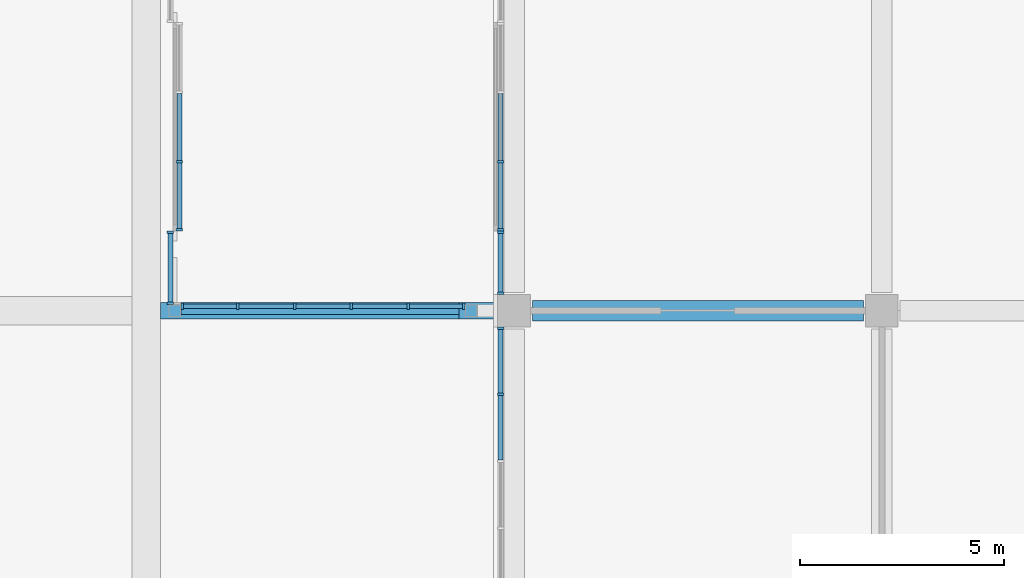
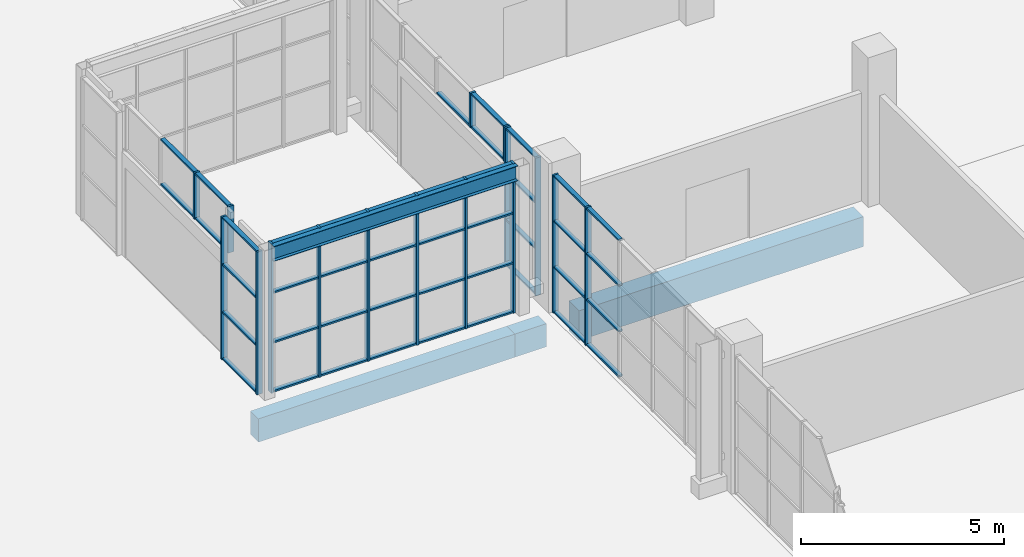
# One storey, part 38 of 168: 59 members, 4 beams, 6 elements without a shape of their own.
"""IFC4 building model written with IfcOpenShell, lengths in metres."""

from ifc_helpers import new_model, si_unit, direction, frame, origin, origin_2d, place, context, subcontext, project, spatial, rectangle, i_section, extrude, material, material_profile, profile_set, type_object, element, aggregate, save


model = new_model("IFC4")

# Units and contexts
model_context = context("Model", 3, precision=1e-05, world=origin(), true_north=direction((0.0, 1.0)))
body_context = subcontext(model_context, "Body", "Model", "MODEL_VIEW")
ifc_project = project(units=[si_unit("LENGTHUNIT", "METRE"), si_unit("AREAUNIT", "SQUARE_METRE"), si_unit("VOLUMEUNIT", "CUBIC_METRE"), si_unit("PLANEANGLEUNIT", "RADIAN"), si_unit("MASSUNIT", "GRAM", prefix="KILO")], contexts=[model_context])

# Site, building, storey
site_placement = place(None, origin())
site = spatial("IfcSite", under=ifc_project, at=site_placement, CompositionType="ELEMENT")
building_placement = place(site_placement, origin())
building = spatial("IfcBuilding", under=site, at=building_placement, Name="Silverbay Arena", CompositionType="ELEMENT")
storey_placement = place(building_placement, frame((0.0, 0.0, 7.0)))
storey = spatial("IfcBuildingStorey", under=building, at=storey_placement, Name="L01", CompositionType="ELEMENT", Elevation=7.0)

# Beam
ifc_material_1 = material(Name="Steel S355", Category="steel")
ifc_material_profile_1 = material_profile(ifc_material_1, i_section(OverallWidth=0.18994140625, OverallDepth=0.453369140625, WebThickness=0.008544921875, FlangeThickness=0.0126953125, at=origin_2d()), Name="UB 457x191x67")
ifc_profile_set_1 = profile_set([ifc_material_profile_1], Name="Steel S355")
beam_type_1 = type_object("IfcBeamType", Name="Hall beam UB 457x191x67", PredefinedType="BEAM", material=ifc_profile_set_1)
beam_1_placement = place(storey_placement, frame((25.800048828125, 99.0, 4.273193359375), z_axis=(-1.0, 0.0, 0.0), x_axis=(0.0, -1.0, 0.0)))
element("IfcBeam", 1, at=beam_1_placement, inside=storey, type_object=beam_type_1, Name="West entrance hall W1 transverse beam 1L11", PredefinedType="BEAM", context=body_context, shape_type="SweptSolid", body=[
    extrude(i_section(OverallWidth=0.18994140625, OverallDepth=0.453369140625, WebThickness=0.008544921875, FlangeThickness=0.0126953125, at=origin_2d()), origin(), (0.0, 0.0, 1.0), 6.949951171875),
])

# Curtain wall, members
ifc_material_2 = material(Name="Aluminium framed curtain wall", Category="aluminium")
curtain_wall_type_1 = type_object("IfcCurtainWallType", Name="Curtain wall 8200 x 4150", PredefinedType="NOTDEFINED", material=ifc_material_2)
curtain_wall_1_placement = place(storey_placement, origin())
curtain_wall_1 = element("IfcCurtainWall", 2, at=curtain_wall_1_placement, inside=storey, type_object=curtain_wall_type_1, Name="West curtain wall L01 bay 9", PredefinedType="NOTDEFINED")
ifc_material_3 = material(Name="Aluminium", Category="aluminium")
ifc_material_profile_2 = material_profile(ifc_material_3, rectangle(XDim=0.159912109375, YDim=0.06005859375, at=origin_2d()), Name="Mullion 60 x 160")
ifc_profile_set_2 = profile_set([ifc_material_profile_2], Name="Aluminium")
member_type_1 = type_object("IfcMemberType", Name="Mullion 60 x 160", PredefinedType="MULLION", material=ifc_profile_set_2)
member_1_placement = place(storey_placement, frame((26.669921875, 98.570068359375, 0.0), z_axis=(0.0, 0.0, 1.0), x_axis=(1.0, 0.0, 0.0)))
member_1 = element("IfcMember", 3, at=member_1_placement, type_object=member_type_1, Name="CW7 mullion 1", PredefinedType="MULLION", context=body_context, shape_type="SweptSolid", body=[
    extrude(rectangle(XDim=0.159912109375, YDim=0.06005859375, at=origin_2d()), origin(), (0.0, 0.0, 1.0), 4.14990234375),
])
member_2_placement = place(storey_placement, frame((26.669921875, 96.9599609375, 0.0), z_axis=(0.0, 0.0, 1.0), x_axis=(1.0, 0.0, 0.0)))
member_2 = element("IfcMember", 4, at=member_2_placement, type_object=member_type_1, Name="CW7 mullion 2", PredefinedType="MULLION", context=body_context, shape_type="SweptSolid", body=[
    extrude(rectangle(XDim=0.159912109375, YDim=0.06005859375, at=origin_2d()), origin(), (0.0, 0.0, 1.0), 4.14990234375),
])

ifc_material_4 = material(Name="Aluminium framed curtain wall", Category="aluminium")
curtain_wall_type_2 = type_object("IfcCurtainWallType", Name="Curtain wall 1550 x 4150", PredefinedType="NOTDEFINED", material=ifc_material_4)
curtain_wall_2_placement = place(storey_placement, origin())
curtain_wall_2 = element("IfcCurtainWall", 5, at=curtain_wall_2_placement, inside=storey, type_object=curtain_wall_type_2, Name="West curtain wall L01 bay 10", PredefinedType="NOTDEFINED")
member_3_placement = place(storey_placement, frame((26.669921875, 100.919921875, 0.0), z_axis=(0.0, 0.0, 1.0), x_axis=(1.0, 0.0, 0.0)))
member_3 = element("IfcMember", 6, at=member_3_placement, type_object=member_type_1, Name="CW8 mullion 1", PredefinedType="MULLION", context=body_context, shape_type="SweptSolid", body=[
    extrude(rectangle(XDim=0.159912109375, YDim=0.06005859375, at=origin_2d()), origin(), (0.0, 0.0, 1.0), 4.14990234375),
])
member_4_placement = place(storey_placement, frame((26.669921875, 99.429931640625, 0.0), z_axis=(0.0, 0.0, 1.0), x_axis=(1.0, 0.0, 0.0)))
member_4 = element("IfcMember", 7, at=member_4_placement, type_object=member_type_1, Name="CW8 mullion 2", PredefinedType="MULLION", context=body_context, shape_type="SweptSolid", body=[
    extrude(rectangle(XDim=0.159912109375, YDim=0.06005859375, at=origin_2d()), origin(), (0.0, 0.0, 1.0), 4.14990234375),
])

ifc_material_5 = material(Name="Aluminium framed curtain wall", Category="aluminium")
curtain_wall_type_3 = type_object("IfcCurtainWallType", Name="Curtain wall 5100 x 1050", PredefinedType="NOTDEFINED", material=ifc_material_5)
curtain_wall_3_placement = place(storey_placement, origin())
curtain_wall_3 = element("IfcCurtainWall", 8, at=curtain_wall_3_placement, inside=storey, type_object=curtain_wall_type_3, Name="West curtain wall L01 bay 10", PredefinedType="NOTDEFINED")
member_5_placement = place(storey_placement, frame((26.669921875, 102.64990234375, 3.10009765625), z_axis=(0.0, 0.0, 1.0), x_axis=(1.0, 0.0, 0.0)))
member_5 = element("IfcMember", 9, at=member_5_placement, type_object=member_type_1, Name="CW9 mullion 3", PredefinedType="MULLION", context=body_context, shape_type="SweptSolid", body=[
    extrude(rectangle(XDim=0.159912109375, YDim=0.06005859375, at=origin_2d()), origin(), (0.0, 0.0, 1.0), 1.0498046875),
])
member_6_placement = place(storey_placement, frame((26.669921875, 100.97998046875, 3.10009765625), z_axis=(0.0, 0.0, 1.0), x_axis=(1.0, 0.0, 0.0)))
member_6 = element("IfcMember", 10, at=member_6_placement, type_object=member_type_1, Name="CW9 mullion 4", PredefinedType="MULLION", context=body_context, shape_type="SweptSolid", body=[
    extrude(rectangle(XDim=0.159912109375, YDim=0.06005859375, at=origin_2d()), origin(), (0.0, 0.0, 1.0), 1.0498046875),
])

ifc_material_6 = material(Name="Aluminium framed curtain wall", Category="aluminium")
curtain_wall_type_4 = type_object("IfcCurtainWallType", Name="Curtain wall 1800 x 4300", PredefinedType="NOTDEFINED", material=ifc_material_6)
curtain_wall_4_placement = place(storey_placement, origin())
curtain_wall_4 = element("IfcCurtainWall", 11, at=curtain_wall_4_placement, inside=storey, type_object=curtain_wall_type_4, Name="West entrance hall W1 glazing F0a", PredefinedType="NOTDEFINED")
member_7_placement = place(storey_placement, frame((18.590087890625, 99.179931640625, 0.0), z_axis=(0.0, 0.0, 1.0), x_axis=(-1.0, 0.0, 0.0)))
member_7 = element("IfcMember", 12, at=member_7_placement, type_object=member_type_1, Name="CW49 mullion 1", PredefinedType="MULLION", context=body_context, shape_type="SweptSolid", body=[
    extrude(rectangle(XDim=0.159912109375, YDim=0.06005859375, at=origin_2d()), origin(), (0.0, 0.0, 1.0), 4.300048828125),
])
member_8_placement = place(storey_placement, frame((18.590087890625, 100.919921875, 0.0), z_axis=(0.0, 0.0, 1.0), x_axis=(-1.0, 0.0, 0.0)))
member_8 = element("IfcMember", 13, at=member_8_placement, type_object=member_type_1, Name="CW49 mullion 2", PredefinedType="MULLION", context=body_context, shape_type="SweptSolid", body=[
    extrude(rectangle(XDim=0.159912109375, YDim=0.06005859375, at=origin_2d()), origin(), (0.0, 0.0, 1.0), 4.300048828125),
])

ifc_material_7 = material(Name="Aluminium framed curtain wall", Category="aluminium")
curtain_wall_type_5 = type_object("IfcCurtainWallType", Name="Curtain wall 6950 x 4500", PredefinedType="NOTDEFINED", material=ifc_material_7)
curtain_wall_5_placement = place(storey_placement, origin())
curtain_wall_5 = element("IfcCurtainWall", 14, at=curtain_wall_5_placement, inside=storey, type_object=curtain_wall_type_5, Name="West entrance hall W1 glazing SA", PredefinedType="NOTDEFINED")
member_9_placement = place(storey_placement, frame((18.8798828125, 99.110107421875, 0.0), z_axis=(0.0, 0.0, 1.0), x_axis=(0.0, 1.0, 0.0)))
member_9 = element("IfcMember", 15, at=member_9_placement, type_object=member_type_1, Name="CW51 mullion 1", PredefinedType="MULLION", context=body_context, shape_type="SweptSolid", body=[
    extrude(rectangle(XDim=0.159912109375, YDim=0.06005859375, at=origin_2d()), origin(), (0.0, 0.0, 1.0), 4.5),
])
member_10_placement = place(storey_placement, frame((20.239990234375, 99.110107421875, 0.0), z_axis=(0.0, 0.0, 1.0), x_axis=(0.0, 1.0, 0.0)))
member_10 = element("IfcMember", 16, at=member_10_placement, type_object=member_type_1, Name="CW51 mullion 2", PredefinedType="MULLION", context=body_context, shape_type="SweptSolid", body=[
    extrude(rectangle(XDim=0.159912109375, YDim=0.06005859375, at=origin_2d()), origin(), (0.0, 0.0, 1.0), 4.5),
])
member_11_placement = place(storey_placement, frame((21.6298828125, 99.110107421875, 0.0), z_axis=(0.0, 0.0, 1.0), x_axis=(0.0, 1.0, 0.0)))
member_11 = element("IfcMember", 17, at=member_11_placement, type_object=member_type_1, Name="CW51 mullion 3", PredefinedType="MULLION", context=body_context, shape_type="SweptSolid", body=[
    extrude(rectangle(XDim=0.159912109375, YDim=0.06005859375, at=origin_2d()), origin(), (0.0, 0.0, 1.0), 4.5),
])
member_12_placement = place(storey_placement, frame((23.02001953125, 99.110107421875, 0.0), z_axis=(0.0, 0.0, 1.0), x_axis=(0.0, 1.0, 0.0)))
member_12 = element("IfcMember", 18, at=member_12_placement, type_object=member_type_1, Name="CW51 mullion 4", PredefinedType="MULLION", context=body_context, shape_type="SweptSolid", body=[
    extrude(rectangle(XDim=0.159912109375, YDim=0.06005859375, at=origin_2d()), origin(), (0.0, 0.0, 1.0), 4.5),
])
member_13_placement = place(storey_placement, frame((24.409912109375, 99.110107421875, 0.0), z_axis=(0.0, 0.0, 1.0), x_axis=(0.0, 1.0, 0.0)))
member_13 = element("IfcMember", 19, at=member_13_placement, type_object=member_type_1, Name="CW51 mullion 5", PredefinedType="MULLION", context=body_context, shape_type="SweptSolid", body=[
    extrude(rectangle(XDim=0.159912109375, YDim=0.06005859375, at=origin_2d()), origin(), (0.0, 0.0, 1.0), 4.5),
])
member_14_placement = place(storey_placement, frame((25.77001953125, 99.110107421875, 0.0), z_axis=(0.0, 0.0, 1.0), x_axis=(0.0, 1.0, 0.0)))
member_14 = element("IfcMember", 20, at=member_14_placement, type_object=member_type_1, Name="CW51 mullion 6", PredefinedType="MULLION", context=body_context, shape_type="SweptSolid", body=[
    extrude(rectangle(XDim=0.159912109375, YDim=0.06005859375, at=origin_2d()), origin(), (0.0, 0.0, 1.0), 4.5),
])

ifc_material_8 = material(Name="Aluminium framed curtain wall", Category="aluminium")
curtain_wall_type_6 = type_object("IfcCurtainWallType", Name="Curtain wall 5100 x 1400", PredefinedType="NOTDEFINED", material=ifc_material_8)
curtain_wall_6_placement = place(storey_placement, origin())
curtain_wall_6 = element("IfcCurtainWall", 21, at=curtain_wall_6_placement, inside=storey, type_object=curtain_wall_type_6, Name="West entrance hall W1 glazing over the door", PredefinedType="NOTDEFINED")
member_15_placement = place(storey_placement, frame((18.81005859375, 102.64990234375, 3.10009765625), z_axis=(0.0, 0.0, 1.0), x_axis=(1.0, 0.0, 0.0)))
member_15 = element("IfcMember", 22, at=member_15_placement, type_object=member_type_1, Name="CW39 mullion 3", PredefinedType="MULLION", context=body_context, shape_type="SweptSolid", body=[
    extrude(rectangle(XDim=0.159912109375, YDim=0.06005859375, at=origin_2d()), origin(), (0.0, 0.0, 1.0), 1.39990234375),
])
member_16_placement = place(storey_placement, frame((18.81005859375, 100.97998046875, 3.10009765625), z_axis=(0.0, 0.0, 1.0), x_axis=(1.0, 0.0, 0.0)))
member_16 = element("IfcMember", 23, at=member_16_placement, type_object=member_type_1, Name="CW39 mullion 4", PredefinedType="MULLION", context=body_context, shape_type="SweptSolid", body=[
    extrude(rectangle(XDim=0.159912109375, YDim=0.06005859375, at=origin_2d()), origin(), (0.0, 0.0, 1.0), 1.39990234375),
])

# Beams
ifc_material_9 = material(Name="Concrete Grade C45", Category="concrete")
ifc_material_profile_3 = material_profile(ifc_material_9, rectangle(XDim=0.39990234375, YDim=0.699951171875, at=origin_2d()), Name="RC 400x700")
ifc_profile_set_3 = profile_set([ifc_material_profile_3], Name="Concrete Grade C45")
beam_type_2 = type_object("IfcBeamType", Name="RC beam 400x700", PredefinedType="BEAM", material=ifc_profile_set_3)
beam_2_placement = place(storey_placement, frame((18.35009765625, 99.0, -0.800048828125), z_axis=(1.0, 0.0, 0.0), x_axis=(0.0, 1.0, 0.0)))
element("IfcBeam", 24, at=beam_2_placement, inside=storey, type_object=beam_type_2, Name="Deck row beam 086", PredefinedType="BEAM", context=body_context, shape_type="SweptSolid", body=[
    extrude(rectangle(XDim=0.39990234375, YDim=0.699951171875, at=origin_2d()), origin(), (0.0, 0.0, 1.0), 7.2998046875),
])
beam_3_placement = place(storey_placement, frame((25.64990234375, 99.0, -0.800048828125), z_axis=(1.0, 0.0, 0.0), x_axis=(0.0, 1.0, 0.0)))
element("IfcBeam", 25, at=beam_3_placement, inside=storey, type_object=beam_type_2, Name="Deck row beam 086 B", PredefinedType="BEAM", context=body_context, shape_type="SweptSolid", body=[
    extrude(rectangle(XDim=0.39990234375, YDim=0.699951171875, at=origin_2d()), origin(), (0.0, 0.0, 1.0), 0.900146484375),
])
ifc_material_10 = material(Name="Concrete Grade C45", Category="concrete")
ifc_material_profile_4 = material_profile(ifc_material_10, rectangle(XDim=0.5, YDim=0.89990234375, at=origin_2d()), Name="RC 500x900")
ifc_profile_set_4 = profile_set([ifc_material_profile_4], Name="Concrete Grade C45")
beam_type_3 = type_object("IfcBeamType", Name="RC beam 500x900", PredefinedType="BEAM", material=ifc_profile_set_4)
beam_4_placement = place(storey_placement, frame((27.449951171875, 99.0, -0.800048828125), z_axis=(1.0, 0.0, 0.0), x_axis=(0.0, 1.0, 0.0)))
element("IfcBeam", 26, at=beam_4_placement, inside=storey, type_object=beam_type_3, Name="Floor beam L01 110", PredefinedType="BEAM", context=body_context, shape_type="SweptSolid", body=[
    extrude(rectangle(XDim=0.5, YDim=0.89990234375, at=origin_2d()), origin(), (0.0, 0.0, 1.0), 8.10009765625),
])

# Member
ifc_material_11 = material(Name="Aluminium", Category="aluminium")
ifc_material_profile_5 = material_profile(ifc_material_11, rectangle(XDim=0.1201171875, YDim=0.050048828125, at=origin_2d()), Name="Transom 50 x 120")
ifc_profile_set_5 = profile_set([ifc_material_profile_5], Name="Aluminium")
member_type_2 = type_object("IfcMemberType", Name="Transom 50 x 120", PredefinedType="USERDEFINED", material=ifc_profile_set_5)
member_17_placement = place(storey_placement, frame((26.669921875, 98.5400390625, 0.02490234375), z_axis=(0.0, -1.0, 0.0), x_axis=(1.0, 0.0, 0.0)))
member_17 = element("IfcMember", 27, at=member_17_placement, type_object=member_type_2, Name="CW7 transom 1.1", ObjectType="TRANSOM", PredefinedType="USERDEFINED", context=body_context, shape_type="SweptSolid", body=[
    extrude(rectangle(XDim=0.1201171875, YDim=0.050048828125, at=origin_2d()), origin(), (0.0, 0.0, 1.0), 1.550048828125),
])

member_18_placement = place(storey_placement, frame((26.669921875, 98.5400390625, 1.38330078125), z_axis=(0.0, -1.0, 0.0), x_axis=(1.0, 0.0, 0.0)))
member_18 = element("IfcMember", 28, at=member_18_placement, type_object=member_type_2, Name="CW7 transom 1.2", ObjectType="TRANSOM", PredefinedType="USERDEFINED", context=body_context, shape_type="SweptSolid", body=[
    extrude(rectangle(XDim=0.1201171875, YDim=0.050048828125, at=origin_2d()), origin(), (0.0, 0.0, 1.0), 1.550048828125),
])

member_19_placement = place(storey_placement, frame((26.669921875, 98.5400390625, 2.7666015625), z_axis=(0.0, -1.0, 0.0), x_axis=(1.0, 0.0, 0.0)))
member_19 = element("IfcMember", 29, at=member_19_placement, type_object=member_type_2, Name="CW7 transom 1.3", ObjectType="TRANSOM", PredefinedType="USERDEFINED", context=body_context, shape_type="SweptSolid", body=[
    extrude(rectangle(XDim=0.1201171875, YDim=0.050048828125, at=origin_2d()), origin(), (0.0, 0.0, 1.0), 1.550048828125),
])

member_20_placement = place(storey_placement, frame((26.669921875, 98.5400390625, 4.125), z_axis=(0.0, -1.0, 0.0), x_axis=(1.0, 0.0, 0.0)))
member_20 = element("IfcMember", 30, at=member_20_placement, type_object=member_type_2, Name="CW7 transom 1.4", ObjectType="TRANSOM", PredefinedType="USERDEFINED", context=body_context, shape_type="SweptSolid", body=[
    extrude(rectangle(XDim=0.1201171875, YDim=0.050048828125, at=origin_2d()), origin(), (0.0, 0.0, 1.0), 1.550048828125),
])

member_21_placement = place(storey_placement, frame((26.669921875, 96.929931640625, 0.02490234375), z_axis=(0.0, -1.0, 0.0), x_axis=(1.0, 0.0, 0.0)))
member_21 = element("IfcMember", 31, at=member_21_placement, type_object=member_type_2, Name="CW7 transom 2.1", ObjectType="TRANSOM", PredefinedType="USERDEFINED", context=body_context, shape_type="SweptSolid", body=[
    extrude(rectangle(XDim=0.1201171875, YDim=0.050048828125, at=origin_2d()), origin(), (0.0, 0.0, 1.0), 1.579833984375),
])

member_22_placement = place(storey_placement, frame((26.669921875, 96.929931640625, 1.38330078125), z_axis=(0.0, -1.0, 0.0), x_axis=(1.0, 0.0, 0.0)))
member_22 = element("IfcMember", 32, at=member_22_placement, type_object=member_type_2, Name="CW7 transom 2.2", ObjectType="TRANSOM", PredefinedType="USERDEFINED", context=body_context, shape_type="SweptSolid", body=[
    extrude(rectangle(XDim=0.1201171875, YDim=0.050048828125, at=origin_2d()), origin(), (0.0, 0.0, 1.0), 1.579833984375),
])

member_23_placement = place(storey_placement, frame((26.669921875, 96.929931640625, 2.7666015625), z_axis=(0.0, -1.0, 0.0), x_axis=(1.0, 0.0, 0.0)))
member_23 = element("IfcMember", 33, at=member_23_placement, type_object=member_type_2, Name="CW7 transom 2.3", ObjectType="TRANSOM", PredefinedType="USERDEFINED", context=body_context, shape_type="SweptSolid", body=[
    extrude(rectangle(XDim=0.1201171875, YDim=0.050048828125, at=origin_2d()), origin(), (0.0, 0.0, 1.0), 1.579833984375),
])

member_24_placement = place(storey_placement, frame((26.669921875, 96.929931640625, 4.125), z_axis=(0.0, -1.0, 0.0), x_axis=(1.0, 0.0, 0.0)))
member_24 = element("IfcMember", 34, at=member_24_placement, type_object=member_type_2, Name="CW7 transom 2.4", ObjectType="TRANSOM", PredefinedType="USERDEFINED", context=body_context, shape_type="SweptSolid", body=[
    extrude(rectangle(XDim=0.1201171875, YDim=0.050048828125, at=origin_2d()), origin(), (0.0, 0.0, 1.0), 1.579833984375),
])

aggregate(curtain_wall_1, [member_1, member_2, member_17, member_18, member_19, member_20, member_21, member_22, member_23, member_24])

member_25_placement = place(storey_placement, frame((26.669921875, 100.889892578125, 0.02490234375), z_axis=(0.0, -1.0, 0.0), x_axis=(1.0, 0.0, 0.0)))
member_25 = element("IfcMember", 35, at=member_25_placement, type_object=member_type_2, Name="CW8 transom 1.1", ObjectType="TRANSOM", PredefinedType="USERDEFINED", context=body_context, shape_type="SweptSolid", body=[
    extrude(rectangle(XDim=0.1201171875, YDim=0.050048828125, at=origin_2d()), origin(), (0.0, 0.0, 1.0), 1.429931640625),
])

member_26_placement = place(storey_placement, frame((26.669921875, 100.889892578125, 1.38330078125), z_axis=(0.0, -1.0, 0.0), x_axis=(1.0, 0.0, 0.0)))
member_26 = element("IfcMember", 36, at=member_26_placement, type_object=member_type_2, Name="CW8 transom 1.2", ObjectType="TRANSOM", PredefinedType="USERDEFINED", context=body_context, shape_type="SweptSolid", body=[
    extrude(rectangle(XDim=0.1201171875, YDim=0.050048828125, at=origin_2d()), origin(), (0.0, 0.0, 1.0), 1.429931640625),
])

member_27_placement = place(storey_placement, frame((26.669921875, 100.889892578125, 2.7666015625), z_axis=(0.0, -1.0, 0.0), x_axis=(1.0, 0.0, 0.0)))
member_27 = element("IfcMember", 37, at=member_27_placement, type_object=member_type_2, Name="CW8 transom 1.3", ObjectType="TRANSOM", PredefinedType="USERDEFINED", context=body_context, shape_type="SweptSolid", body=[
    extrude(rectangle(XDim=0.1201171875, YDim=0.050048828125, at=origin_2d()), origin(), (0.0, 0.0, 1.0), 1.429931640625),
])

member_28_placement = place(storey_placement, frame((26.669921875, 100.889892578125, 4.125), z_axis=(0.0, -1.0, 0.0), x_axis=(1.0, 0.0, 0.0)))
member_28 = element("IfcMember", 38, at=member_28_placement, type_object=member_type_2, Name="CW8 transom 1.4", ObjectType="TRANSOM", PredefinedType="USERDEFINED", context=body_context, shape_type="SweptSolid", body=[
    extrude(rectangle(XDim=0.1201171875, YDim=0.050048828125, at=origin_2d()), origin(), (0.0, 0.0, 1.0), 1.429931640625),
])

aggregate(curtain_wall_2, [member_3, member_4, member_25, member_26, member_27, member_28])

member_29_placement = place(storey_placement, frame((26.669921875, 104.320068359375, 3.125), z_axis=(0.0, -1.0, 0.0), x_axis=(1.0, 0.0, 0.0)))
member_29 = element("IfcMember", 39, at=member_29_placement, type_object=member_type_2, Name="CW9 transom 2.1", ObjectType="TRANSOM", PredefinedType="USERDEFINED", context=body_context, shape_type="SweptSolid", body=[
    extrude(rectangle(XDim=0.1201171875, YDim=0.050048828125, at=origin_2d()), origin(), (0.0, 0.0, 1.0), 1.64013671875),
])

member_30_placement = place(storey_placement, frame((26.669921875, 102.6201171875, 3.125), z_axis=(0.0, -1.0, 0.0), x_axis=(1.0, 0.0, 0.0)))
member_30 = element("IfcMember", 40, at=member_30_placement, type_object=member_type_2, Name="CW9 transom 3.1", ObjectType="TRANSOM", PredefinedType="USERDEFINED", context=body_context, shape_type="SweptSolid", body=[
    extrude(rectangle(XDim=0.1201171875, YDim=0.050048828125, at=origin_2d()), origin(), (0.0, 0.0, 1.0), 1.610107421875),
])

member_31_placement = place(storey_placement, frame((26.669921875, 102.6201171875, 4.125), z_axis=(0.0, -1.0, 0.0), x_axis=(1.0, 0.0, 0.0)))
member_31 = element("IfcMember", 41, at=member_31_placement, type_object=member_type_2, Name="CW9 transom 3.2", ObjectType="TRANSOM", PredefinedType="USERDEFINED", context=body_context, shape_type="SweptSolid", body=[
    extrude(rectangle(XDim=0.1201171875, YDim=0.050048828125, at=origin_2d()), origin(), (0.0, 0.0, 1.0), 1.610107421875),
])

aggregate(curtain_wall_3, [member_5, member_6, member_29, member_30, member_31])

member_32_placement = place(storey_placement, frame((18.590087890625, 99.2099609375, 0.02490234375), z_axis=(0.0, 1.0, 0.0), x_axis=(-1.0, 0.0, 0.0)))
member_32 = element("IfcMember", 42, at=member_32_placement, type_object=member_type_2, Name="CW49 transom 1.1", ObjectType="TRANSOM", PredefinedType="USERDEFINED", context=body_context, shape_type="SweptSolid", body=[
    extrude(rectangle(XDim=0.1201171875, YDim=0.050048828125, at=origin_2d()), origin(), (0.0, 0.0, 1.0), 1.679931640625),
])

member_33_placement = place(storey_placement, frame((18.590087890625, 99.2099609375, 1.433349609375), z_axis=(0.0, 1.0, 0.0), x_axis=(-1.0, 0.0, 0.0)))
member_33 = element("IfcMember", 43, at=member_33_placement, type_object=member_type_2, Name="CW49 transom 1.2", ObjectType="TRANSOM", PredefinedType="USERDEFINED", context=body_context, shape_type="SweptSolid", body=[
    extrude(rectangle(XDim=0.1201171875, YDim=0.050048828125, at=origin_2d()), origin(), (0.0, 0.0, 1.0), 1.679931640625),
])

member_34_placement = place(storey_placement, frame((18.590087890625, 99.2099609375, 2.86669921875), z_axis=(0.0, 1.0, 0.0), x_axis=(-1.0, 0.0, 0.0)))
member_34 = element("IfcMember", 44, at=member_34_placement, type_object=member_type_2, Name="CW49 transom 1.3", ObjectType="TRANSOM", PredefinedType="USERDEFINED", context=body_context, shape_type="SweptSolid", body=[
    extrude(rectangle(XDim=0.1201171875, YDim=0.050048828125, at=origin_2d()), origin(), (0.0, 0.0, 1.0), 1.679931640625),
])

member_35_placement = place(storey_placement, frame((18.590087890625, 99.2099609375, 4.27490234375), z_axis=(0.0, 1.0, 0.0), x_axis=(-1.0, 0.0, 0.0)))
member_35 = element("IfcMember", 45, at=member_35_placement, type_object=member_type_2, Name="CW49 transom 1.4", ObjectType="TRANSOM", PredefinedType="USERDEFINED", context=body_context, shape_type="SweptSolid", body=[
    extrude(rectangle(XDim=0.1201171875, YDim=0.050048828125, at=origin_2d()), origin(), (0.0, 0.0, 1.0), 1.679931640625),
])

aggregate(curtain_wall_4, [member_7, member_8, member_32, member_33, member_34, member_35])

member_36_placement = place(storey_placement, frame((18.909912109375, 99.110107421875, 0.02490234375), z_axis=(1.0, 0.0, 0.0), x_axis=(0.0, 1.0, 0.0)))
member_36 = element("IfcMember", 46, at=member_36_placement, type_object=member_type_2, Name="CW51 transom 1.1", ObjectType="TRANSOM", PredefinedType="USERDEFINED", context=body_context, shape_type="SweptSolid", body=[
    extrude(rectangle(XDim=0.1201171875, YDim=0.050048828125, at=origin_2d()), origin(), (0.0, 0.0, 1.0), 1.300048828125),
])

member_37_placement = place(storey_placement, frame((18.909912109375, 99.110107421875, 1.5), z_axis=(1.0, 0.0, 0.0), x_axis=(0.0, 1.0, 0.0)))
member_37 = element("IfcMember", 47, at=member_37_placement, type_object=member_type_2, Name="CW51 transom 1.2", ObjectType="TRANSOM", PredefinedType="USERDEFINED", context=body_context, shape_type="SweptSolid", body=[
    extrude(rectangle(XDim=0.1201171875, YDim=0.050048828125, at=origin_2d()), origin(), (0.0, 0.0, 1.0), 1.300048828125),
])

member_38_placement = place(storey_placement, frame((18.909912109375, 99.110107421875, 3.0), z_axis=(1.0, 0.0, 0.0), x_axis=(0.0, 1.0, 0.0)))
member_38 = element("IfcMember", 48, at=member_38_placement, type_object=member_type_2, Name="CW51 transom 1.3", ObjectType="TRANSOM", PredefinedType="USERDEFINED", context=body_context, shape_type="SweptSolid", body=[
    extrude(rectangle(XDim=0.1201171875, YDim=0.050048828125, at=origin_2d()), origin(), (0.0, 0.0, 1.0), 1.300048828125),
])

member_39_placement = place(storey_placement, frame((18.909912109375, 99.110107421875, 4.47509765625), z_axis=(1.0, 0.0, 0.0), x_axis=(0.0, 1.0, 0.0)))
member_39 = element("IfcMember", 49, at=member_39_placement, type_object=member_type_2, Name="CW51 transom 1.4", ObjectType="TRANSOM", PredefinedType="USERDEFINED", context=body_context, shape_type="SweptSolid", body=[
    extrude(rectangle(XDim=0.1201171875, YDim=0.050048828125, at=origin_2d()), origin(), (0.0, 0.0, 1.0), 1.300048828125),
])

member_40_placement = place(storey_placement, frame((20.27001953125, 99.110107421875, 0.02490234375), z_axis=(1.0, 0.0, 0.0), x_axis=(0.0, 1.0, 0.0)))
member_40 = element("IfcMember", 50, at=member_40_placement, type_object=member_type_2, Name="CW51 transom 2.1", ObjectType="TRANSOM", PredefinedType="USERDEFINED", context=body_context, shape_type="SweptSolid", body=[
    extrude(rectangle(XDim=0.1201171875, YDim=0.050048828125, at=origin_2d()), origin(), (0.0, 0.0, 1.0), 1.330078125),
])

member_41_placement = place(storey_placement, frame((20.27001953125, 99.110107421875, 1.5), z_axis=(1.0, 0.0, 0.0), x_axis=(0.0, 1.0, 0.0)))
member_41 = element("IfcMember", 51, at=member_41_placement, type_object=member_type_2, Name="CW51 transom 2.2", ObjectType="TRANSOM", PredefinedType="USERDEFINED", context=body_context, shape_type="SweptSolid", body=[
    extrude(rectangle(XDim=0.1201171875, YDim=0.050048828125, at=origin_2d()), origin(), (0.0, 0.0, 1.0), 1.330078125),
])

member_42_placement = place(storey_placement, frame((20.27001953125, 99.110107421875, 3.0), z_axis=(1.0, 0.0, 0.0), x_axis=(0.0, 1.0, 0.0)))
member_42 = element("IfcMember", 52, at=member_42_placement, type_object=member_type_2, Name="CW51 transom 2.3", ObjectType="TRANSOM", PredefinedType="USERDEFINED", context=body_context, shape_type="SweptSolid", body=[
    extrude(rectangle(XDim=0.1201171875, YDim=0.050048828125, at=origin_2d()), origin(), (0.0, 0.0, 1.0), 1.330078125),
])

member_43_placement = place(storey_placement, frame((20.27001953125, 99.110107421875, 4.47509765625), z_axis=(1.0, 0.0, 0.0), x_axis=(0.0, 1.0, 0.0)))
member_43 = element("IfcMember", 53, at=member_43_placement, type_object=member_type_2, Name="CW51 transom 2.4", ObjectType="TRANSOM", PredefinedType="USERDEFINED", context=body_context, shape_type="SweptSolid", body=[
    extrude(rectangle(XDim=0.1201171875, YDim=0.050048828125, at=origin_2d()), origin(), (0.0, 0.0, 1.0), 1.330078125),
])

member_44_placement = place(storey_placement, frame((21.659912109375, 99.110107421875, 0.02490234375), z_axis=(1.0, 0.0, 0.0), x_axis=(0.0, 1.0, 0.0)))
member_44 = element("IfcMember", 54, at=member_44_placement, type_object=member_type_2, Name="CW51 transom 3.1", ObjectType="TRANSOM", PredefinedType="USERDEFINED", context=body_context, shape_type="SweptSolid", body=[
    extrude(rectangle(XDim=0.1201171875, YDim=0.050048828125, at=origin_2d()), origin(), (0.0, 0.0, 1.0), 1.330078125),
])

member_45_placement = place(storey_placement, frame((21.659912109375, 99.110107421875, 1.5), z_axis=(1.0, 0.0, 0.0), x_axis=(0.0, 1.0, 0.0)))
member_45 = element("IfcMember", 55, at=member_45_placement, type_object=member_type_2, Name="CW51 transom 3.2", ObjectType="TRANSOM", PredefinedType="USERDEFINED", context=body_context, shape_type="SweptSolid", body=[
    extrude(rectangle(XDim=0.1201171875, YDim=0.050048828125, at=origin_2d()), origin(), (0.0, 0.0, 1.0), 1.330078125),
])

member_46_placement = place(storey_placement, frame((21.659912109375, 99.110107421875, 3.0), z_axis=(1.0, 0.0, 0.0), x_axis=(0.0, 1.0, 0.0)))
member_46 = element("IfcMember", 56, at=member_46_placement, type_object=member_type_2, Name="CW51 transom 3.3", ObjectType="TRANSOM", PredefinedType="USERDEFINED", context=body_context, shape_type="SweptSolid", body=[
    extrude(rectangle(XDim=0.1201171875, YDim=0.050048828125, at=origin_2d()), origin(), (0.0, 0.0, 1.0), 1.330078125),
])

member_47_placement = place(storey_placement, frame((21.659912109375, 99.110107421875, 4.47509765625), z_axis=(1.0, 0.0, 0.0), x_axis=(0.0, 1.0, 0.0)))
member_47 = element("IfcMember", 57, at=member_47_placement, type_object=member_type_2, Name="CW51 transom 3.4", ObjectType="TRANSOM", PredefinedType="USERDEFINED", context=body_context, shape_type="SweptSolid", body=[
    extrude(rectangle(XDim=0.1201171875, YDim=0.050048828125, at=origin_2d()), origin(), (0.0, 0.0, 1.0), 1.330078125),
])

member_48_placement = place(storey_placement, frame((23.050048828125, 99.110107421875, 0.02490234375), z_axis=(1.0, 0.0, 0.0), x_axis=(0.0, 1.0, 0.0)))
member_48 = element("IfcMember", 58, at=member_48_placement, type_object=member_type_2, Name="CW51 transom 4.1", ObjectType="TRANSOM", PredefinedType="USERDEFINED", context=body_context, shape_type="SweptSolid", body=[
    extrude(rectangle(XDim=0.1201171875, YDim=0.050048828125, at=origin_2d()), origin(), (0.0, 0.0, 1.0), 1.329833984375),
])

member_49_placement = place(storey_placement, frame((23.050048828125, 99.110107421875, 1.5), z_axis=(1.0, 0.0, 0.0), x_axis=(0.0, 1.0, 0.0)))
member_49 = element("IfcMember", 59, at=member_49_placement, type_object=member_type_2, Name="CW51 transom 4.2", ObjectType="TRANSOM", PredefinedType="USERDEFINED", context=body_context, shape_type="SweptSolid", body=[
    extrude(rectangle(XDim=0.1201171875, YDim=0.050048828125, at=origin_2d()), origin(), (0.0, 0.0, 1.0), 1.329833984375),
])

member_50_placement = place(storey_placement, frame((23.050048828125, 99.110107421875, 3.0), z_axis=(1.0, 0.0, 0.0), x_axis=(0.0, 1.0, 0.0)))
member_50 = element("IfcMember", 60, at=member_50_placement, type_object=member_type_2, Name="CW51 transom 4.3", ObjectType="TRANSOM", PredefinedType="USERDEFINED", context=body_context, shape_type="SweptSolid", body=[
    extrude(rectangle(XDim=0.1201171875, YDim=0.050048828125, at=origin_2d()), origin(), (0.0, 0.0, 1.0), 1.329833984375),
])

member_51_placement = place(storey_placement, frame((23.050048828125, 99.110107421875, 4.47509765625), z_axis=(1.0, 0.0, 0.0), x_axis=(0.0, 1.0, 0.0)))
member_51 = element("IfcMember", 61, at=member_51_placement, type_object=member_type_2, Name="CW51 transom 4.4", ObjectType="TRANSOM", PredefinedType="USERDEFINED", context=body_context, shape_type="SweptSolid", body=[
    extrude(rectangle(XDim=0.1201171875, YDim=0.050048828125, at=origin_2d()), origin(), (0.0, 0.0, 1.0), 1.329833984375),
])

member_52_placement = place(storey_placement, frame((24.43994140625, 99.110107421875, 0.02490234375), z_axis=(1.0, 0.0, 0.0), x_axis=(0.0, 1.0, 0.0)))
member_52 = element("IfcMember", 62, at=member_52_placement, type_object=member_type_2, Name="CW51 transom 5.1", ObjectType="TRANSOM", PredefinedType="USERDEFINED", context=body_context, shape_type="SweptSolid", body=[
    extrude(rectangle(XDim=0.1201171875, YDim=0.050048828125, at=origin_2d()), origin(), (0.0, 0.0, 1.0), 1.300048828125),
])

member_53_placement = place(storey_placement, frame((24.43994140625, 99.110107421875, 1.5), z_axis=(1.0, 0.0, 0.0), x_axis=(0.0, 1.0, 0.0)))
member_53 = element("IfcMember", 63, at=member_53_placement, type_object=member_type_2, Name="CW51 transom 5.2", ObjectType="TRANSOM", PredefinedType="USERDEFINED", context=body_context, shape_type="SweptSolid", body=[
    extrude(rectangle(XDim=0.1201171875, YDim=0.050048828125, at=origin_2d()), origin(), (0.0, 0.0, 1.0), 1.300048828125),
])

member_54_placement = place(storey_placement, frame((24.43994140625, 99.110107421875, 3.0), z_axis=(1.0, 0.0, 0.0), x_axis=(0.0, 1.0, 0.0)))
member_54 = element("IfcMember", 64, at=member_54_placement, type_object=member_type_2, Name="CW51 transom 5.3", ObjectType="TRANSOM", PredefinedType="USERDEFINED", context=body_context, shape_type="SweptSolid", body=[
    extrude(rectangle(XDim=0.1201171875, YDim=0.050048828125, at=origin_2d()), origin(), (0.0, 0.0, 1.0), 1.300048828125),
])

member_55_placement = place(storey_placement, frame((24.43994140625, 99.110107421875, 4.47509765625), z_axis=(1.0, 0.0, 0.0), x_axis=(0.0, 1.0, 0.0)))
member_55 = element("IfcMember", 65, at=member_55_placement, type_object=member_type_2, Name="CW51 transom 5.4", ObjectType="TRANSOM", PredefinedType="USERDEFINED", context=body_context, shape_type="SweptSolid", body=[
    extrude(rectangle(XDim=0.1201171875, YDim=0.050048828125, at=origin_2d()), origin(), (0.0, 0.0, 1.0), 1.300048828125),
])

aggregate(curtain_wall_5, [member_9, member_10, member_11, member_12, member_13, member_14, member_36, member_37, member_38, member_39, member_40, member_41, member_42, member_43, member_44, member_45, member_46, member_47, member_48, member_49, member_50, member_51, member_52, member_53, member_54, member_55])

member_56_placement = place(storey_placement, frame((18.81005859375, 104.320068359375, 3.125), z_axis=(0.0, -1.0, 0.0), x_axis=(1.0, 0.0, 0.0)))
member_56 = element("IfcMember", 66, at=member_56_placement, type_object=member_type_2, Name="CW39 transom 2.1", ObjectType="TRANSOM", PredefinedType="USERDEFINED", context=body_context, shape_type="SweptSolid", body=[
    extrude(rectangle(XDim=0.1201171875, YDim=0.050048828125, at=origin_2d()), origin(), (0.0, 0.0, 1.0), 1.64013671875),
])

member_57_placement = place(storey_placement, frame((18.81005859375, 104.320068359375, 4.47509765625), z_axis=(0.0, -1.0, 0.0), x_axis=(1.0, 0.0, 0.0)))
member_57 = element("IfcMember", 67, at=member_57_placement, type_object=member_type_2, Name="CW39 transom 2.2", ObjectType="TRANSOM", PredefinedType="USERDEFINED", context=body_context, shape_type="SweptSolid", body=[
    extrude(rectangle(XDim=0.1201171875, YDim=0.050048828125, at=origin_2d()), origin(), (0.0, 0.0, 1.0), 1.64013671875),
])

member_58_placement = place(storey_placement, frame((18.81005859375, 102.6201171875, 3.125), z_axis=(0.0, -1.0, 0.0), x_axis=(1.0, 0.0, 0.0)))
member_58 = element("IfcMember", 68, at=member_58_placement, type_object=member_type_2, Name="CW39 transom 3.1", ObjectType="TRANSOM", PredefinedType="USERDEFINED", context=body_context, shape_type="SweptSolid", body=[
    extrude(rectangle(XDim=0.1201171875, YDim=0.050048828125, at=origin_2d()), origin(), (0.0, 0.0, 1.0), 1.610107421875),
])

member_59_placement = place(storey_placement, frame((18.81005859375, 102.6201171875, 4.47509765625), z_axis=(0.0, -1.0, 0.0), x_axis=(1.0, 0.0, 0.0)))
member_59 = element("IfcMember", 69, at=member_59_placement, type_object=member_type_2, Name="CW39 transom 3.2", ObjectType="TRANSOM", PredefinedType="USERDEFINED", context=body_context, shape_type="SweptSolid", body=[
    extrude(rectangle(XDim=0.1201171875, YDim=0.050048828125, at=origin_2d()), origin(), (0.0, 0.0, 1.0), 1.610107421875),
])

aggregate(curtain_wall_6, [member_15, member_16, member_56, member_57, member_58, member_59])

save(model, "model.ifc")
